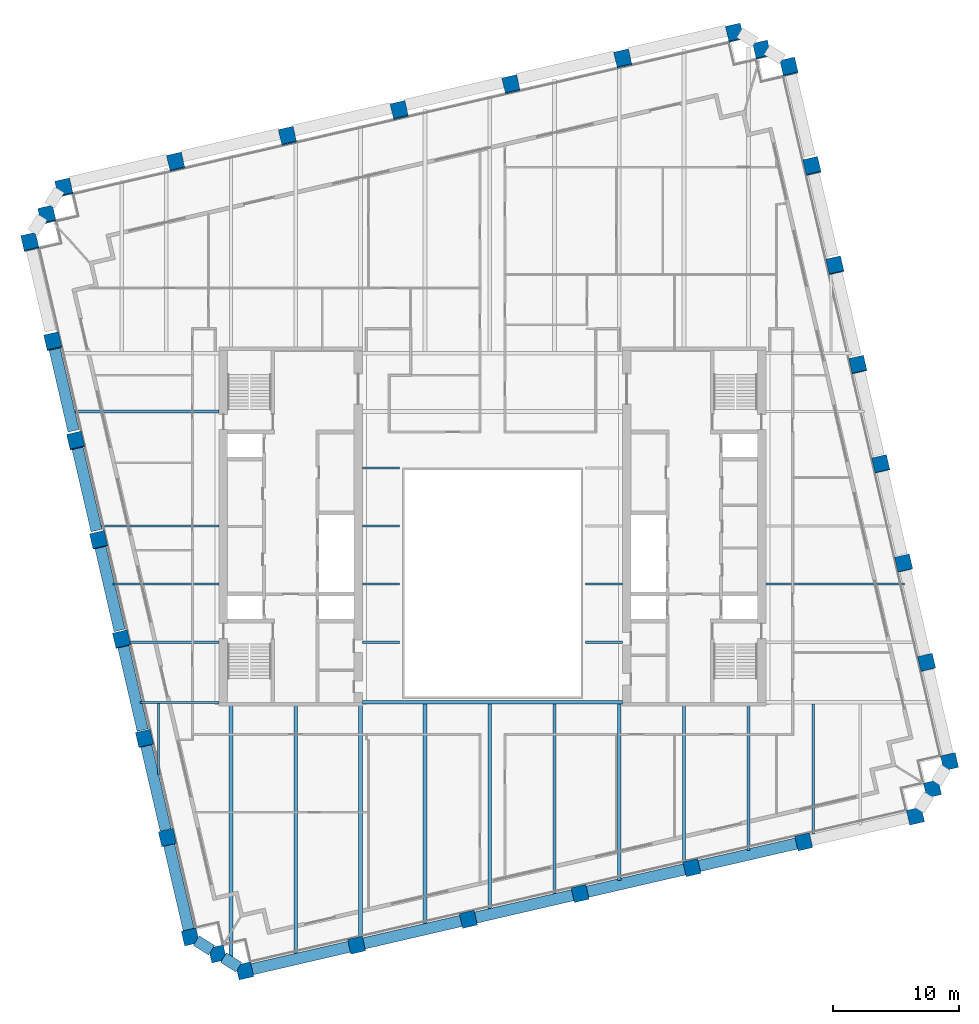
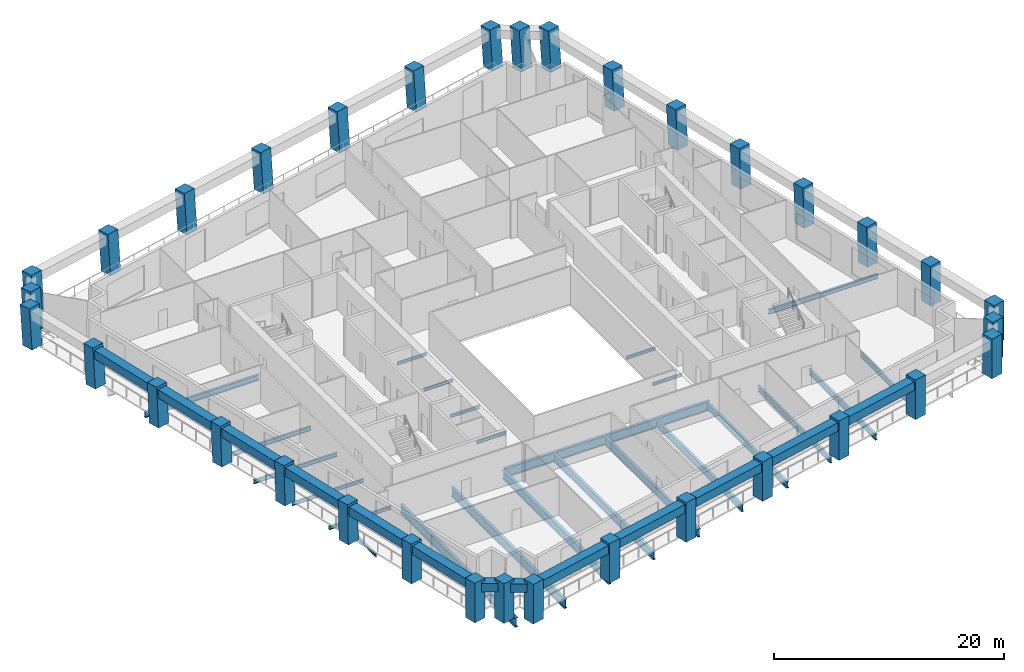
# One storey, part 1 of 10: 37 beams, 34 columns.
"""IFC4 building model written with IfcOpenShell, lengths in metres."""

import ifcopenshell
import ifcopenshell.guid

model = None  # the IFC model being written
_history = None  # IfcOwnerHistory: only IFC2X3 demands one
_inside = {}  # id of a spatial element -> (the spatial element, [elements in it])
_under = {}  # id of a project, library or spatial element -> (it, [spatial elements below it])
_declared = {}  # id of a project -> (the project, [libraries it declares])
_typed = {}  # id of a type object -> (the type object, [elements of that type])
_made_of = {}  # id of a material, layer set ... -> (it, [elements and type objects made of it])


def new_model(schema):
    """Start an empty IFC model of exactly this schema.

    Asked for "IFC4X3", IfcOpenShell would pick the latest addendum, in which some entities
    have other attributes; the version numbers below select the first issue.
    IFC2X3 requires an IfcOwnerHistory on every rooted entity: one is made here for all.
    """
    global model, _history
    if schema == "IFC4X3":
        model = ifcopenshell.file(schema_version=(4, 3, 0, 0))
    else:
        model = ifcopenshell.file(schema=schema)
    _inside.clear()
    _under.clear()
    _declared.clear()
    _typed.clear()
    _made_of.clear()
    _history = None
    if model.schema == "IFC2X3":
        org = make("IfcOrganization", Name="unknown")
        user = make(
            "IfcPersonAndOrganization",
            ThePerson=make("IfcPerson", FamilyName="unknown"),
            TheOrganization=org,
        )
        app = make(
            "IfcApplication",
            ApplicationDeveloper=org,
            Version="unknown",
            ApplicationFullName="unknown",
            ApplicationIdentifier="unknown",
        )
        _history = make(
            "IfcOwnerHistory",
            OwningUser=user,
            OwningApplication=app,
            ChangeAction="ADDED",
            CreationDate=0,
        )
    return model


def make(cls, **values):
    """One entity of the class cls with the attributes given. An attribute that is None is left unset."""
    return model.create_entity(
        cls, **{name: value for name, value in values.items() if value is not None}
    )


def rooted(cls, **values):
    """An entity with a GlobalId (a new one), such as an element, a storey or a relation."""
    return make(cls, GlobalId=ifcopenshell.guid.new(), OwnerHistory=_history, **values)


def si_unit(unit_type, name, prefix=None):
    """IfcSIUnit, for example si_unit("LENGTHUNIT", "METRE", prefix="MILLI")."""
    return make("IfcSIUnit", UnitType=unit_type, Prefix=prefix, Name=name)


def assignment(units):
    """IfcUnitAssignment: the units of a project."""
    return None if units is None else make("IfcUnitAssignment", Units=units)


def point(xyz):
    """IfcCartesianPoint."""
    return None if xyz is None else make("IfcCartesianPoint", Coordinates=xyz)


def direction(xyz):
    """IfcDirection."""
    return None if xyz is None else make("IfcDirection", DirectionRatios=xyz)


def frame(location, z_axis=None, x_axis=None):
    """IfcAxis2Placement3D, a coordinate frame: its origin and axes. An axis left out is left unset."""
    return make(
        "IfcAxis2Placement3D",
        Location=point(location),
        Axis=direction(z_axis),
        RefDirection=direction(x_axis),
    )


def frame_2d(location, x_axis=None):
    """IfcAxis2Placement2D, a coordinate frame in the plane: its origin and x axis."""
    return make(
        "IfcAxis2Placement2D", Location=point(location), RefDirection=direction(x_axis)
    )


def origin():
    """The frame at (0, 0, 0) with its axes left unset."""
    return frame((0.0, 0.0, 0.0))


def origin_2d():
    """The frame at (0, 0) in the plane with its x axis left unset."""
    return frame_2d((0.0, 0.0))


def place(relative_to, where):
    """IfcLocalPlacement: puts the frame where relative to a parent placement (None: the world)."""
    return make(
        "IfcLocalPlacement", PlacementRelTo=relative_to, RelativePlacement=where
    )


def context(
    kind, dimensions, precision=None, world=None, true_north=None, identifier=None
):
    """IfcGeometricRepresentationContext, for example the 3D "Model" context."""
    return make(
        "IfcGeometricRepresentationContext",
        ContextIdentifier=identifier,
        ContextType=kind,
        CoordinateSpaceDimension=dimensions,
        Precision=precision,
        WorldCoordinateSystem=world,
        TrueNorth=true_north,
    )


def subcontext(parent, identifier, kind, view, scale=None):
    """IfcGeometricRepresentationSubContext, for example "Body" below "Model"."""
    return make(
        "IfcGeometricRepresentationSubContext",
        ContextIdentifier=identifier,
        ContextType=kind,
        ParentContext=parent,
        TargetScale=scale,
        TargetView=view,
    )


def project(units=None, contexts=None):
    """IfcProject with its units and contexts."""
    return rooted(
        "IfcProject",
        Name="project",
        RepresentationContexts=contexts,
        UnitsInContext=assignment(units),
    )


def spatial(cls, under=None, at=None, **own):
    """A site, building, storey or space (cls), placed at a placement, below another one or the project."""
    s = rooted(cls, ObjectPlacement=at, **own)
    if under is not None:
        _under.setdefault(under.id(), (under, []))[1].append(s)
    return s


def profile(cls, at=None, kind="AREA", **sizes):
    """A parametric profile (cls). Its sizes go by their IFC names, for example OverallWidth=200.0."""
    return make(cls, ProfileType=kind, Position=at, **sizes)


def rectangle(**sizes):
    """IfcRectangleProfileDef."""
    return profile("IfcRectangleProfileDef", **sizes)


def i_section(**sizes):
    """IfcIShapeProfileDef."""
    return profile("IfcIShapeProfileDef", **sizes)


def extrude(swept, where, along, depth):
    """IfcExtrudedAreaSolid: the profile swept, set in the frame where, extruded along a direction by depth."""
    return make(
        "IfcExtrudedAreaSolid",
        SweptArea=swept,
        Position=where,
        ExtrudedDirection=direction(along),
        Depth=depth,
    )


def shape(context_of_items, identifier, shape_type, items):
    """IfcShapeRepresentation: the items that make up one representation, for example the "Body"."""
    return make(
        "IfcShapeRepresentation",
        ContextOfItems=context_of_items,
        RepresentationIdentifier=identifier,
        RepresentationType=shape_type,
        Items=items,
    )


def material(Name=None, Category=None):
    """IfcMaterial."""
    return make("IfcMaterial", Name=Name, Category=Category)


def material_profile(
    of_material, cross_section, Name=None, Category=None, Priority=None
):
    """IfcMaterialProfile: a cross section and its material."""
    return make(
        "IfcMaterialProfile",
        Name=Name,
        Material=of_material,
        Profile=cross_section,
        Priority=Priority,
        Category=Category,
    )


def profile_set(profiles, Name=None, composite=None):
    """IfcMaterialProfileSet."""
    return make(
        "IfcMaterialProfileSet",
        Name=Name,
        MaterialProfiles=profiles,
        CompositeProfile=composite,
    )


def made_of(thing, what):
    """Note that an element or type object is made of a material, layer set ...; save() writes the relation."""
    if what is not None:
        _made_of.setdefault(what.id(), (what, []))[1].append(thing)
    return thing


def type_object(cls, material=None, **own):
    """A type object (cls), such as IfcWallType, which elements share."""
    return made_of(rooted(cls, **own), material)


def element(
    cls,
    number,
    at=None,
    inside=None,
    cuts=None,
    type_object=None,
    material=None,
    context=None,
    identifier="Body",
    shape_type=None,
    held_by="IfcProductDefinitionShape",
    body=None,
    shapes=None,
    **own,
):
    """One element of the class cls, such as IfcWall. Its Tag is "e" and its number.

    at: its placement. inside: the storey or other place that contains it. cuts: it is an
    opening in that element (IfcRelVoidsElement). A single representation is given by context,
    identifier, shape_type and body (its items); several are given by shapes. held_by: the class
    of the entity that holds the representations. save() writes the other relations.
    """
    e = rooted(cls, Tag="e%d" % number, ObjectPlacement=at, **own)
    if body is not None:
        shapes = [shape(context, identifier, shape_type, body)]
    if shapes is not None:
        e.Representation = make(held_by, Representations=shapes)
    if inside is not None:
        _inside.setdefault(inside.id(), (inside, []))[1].append(e)
    if cuts is not None:
        rooted(
            "IfcRelVoidsElement", RelatingBuildingElement=cuts, RelatedOpeningElement=e
        )
    if type_object is not None:
        _typed.setdefault(type_object.id(), (type_object, []))[1].append(e)
    return made_of(e, material)


def aggregate(whole, parts):
    """IfcRelAggregates: a whole, such as a stair, and the parts it consists of."""
    return rooted("IfcRelAggregates", RelatingObject=whole, RelatedObjects=parts)


def save(model, path):
    """Write the relations noted so far, then the file.

    IfcRelAggregates (storeys below a building ...), IfcRelContainedInSpatialStructure (elements
    in a storey), IfcRelDefinesByType, IfcRelAssociatesMaterial and IfcRelDeclares: one each for
    every whole, place, type object, material and project.
    """
    for whole, parts in _under.values():
        aggregate(whole, parts)
    for where, things in _inside.values():
        rooted(
            "IfcRelContainedInSpatialStructure",
            RelatedElements=things,
            RelatingStructure=where,
        )
    for kind, things in _typed.values():
        rooted("IfcRelDefinesByType", RelatedObjects=things, RelatingType=kind)
    for what, things in _made_of.values():
        rooted("IfcRelAssociatesMaterial", RelatedObjects=things, RelatingMaterial=what)
    for by, libraries in _declared.values():
        rooted("IfcRelDeclares", RelatingContext=by, RelatedDefinitions=libraries)
    model.write(path)


model = new_model("IFC4")

# Units and contexts
model_context = context("Model", 3, precision=1e-05, world=origin(), true_north=direction((0.0, 1.0)))
body_context = subcontext(model_context, "Body", "Model", "MODEL_VIEW")
ifc_project = project(units=[si_unit("LENGTHUNIT", "METRE"), si_unit("AREAUNIT", "SQUARE_METRE"), si_unit("VOLUMEUNIT", "CUBIC_METRE"), si_unit("PLANEANGLEUNIT", "RADIAN"), si_unit("MASSUNIT", "GRAM", prefix="KILO")], contexts=[model_context])

# Site, building, storey
site_placement = place(None, origin())
site = spatial("IfcSite", under=ifc_project, at=site_placement, CompositionType="ELEMENT")
building_placement = place(site_placement, origin())
building = spatial("IfcBuilding", under=site, at=building_placement, Name="Ogive Exchange Tower", CompositionType="ELEMENT")
storey_placement = place(building_placement, frame((0.0, 0.0, 188.39990234375)))
storey = spatial("IfcBuildingStorey", under=building, at=storey_placement, Name="L41", CompositionType="ELEMENT", Elevation=188.39990234375)

# Columns
ifc_material_1 = material(Name="Precast concrete C70/85 (limestone faced)", Category="masonry")
ifc_material_profile_1 = material_profile(ifc_material_1, rectangle(XDim=1.199951171875, YDim=1.199951171875, at=origin_2d()), Name="1200 x 1200")
ifc_profile_set_1 = profile_set([ifc_material_profile_1], Name="Precast concrete C70/85 (limestone faced)")
column_type = type_object("IfcColumnType", Name="Precast exoskeleton leg 1200 x 1200 C70/85", PredefinedType="COLUMN", material=ifc_profile_set_1)
for number, where, z_axis, x_axis, name in (
    (1, (-19.6494140625, -23.749267578125, 0.0), (0.0, 0.0, 1.0), (0.974370064785, 0.224951054344, 0.0), "Exoskeleton leg 1"),
    (2, (-10.782470703125, -21.7021484375, 0.0), (0.0, 0.0, 1.0), (0.974370064785, 0.224951054344, 0.0), "Exoskeleton leg 2"),
    (3, (-1.915771484375, -19.655029296875, 0.0), (0.0, 0.0, 1.0), (0.974370064785, 0.224951054344, 0.0), "Exoskeleton leg 3"),
    (4, (6.950927734375, -17.60791015625, 0.0), (0.0, 0.0, 1.0), (0.974370064785, 0.224951054344, 0.0), "Exoskeleton leg 4"),
    (5, (15.81787109375, -15.56103515625, 0.0), (0.0, 0.0, 1.0), (0.974370064785, 0.224951054344, 0.0), "Exoskeleton leg 5"),
    (6, (24.6845703125, -13.513916015625, 0.0), (0.0, 0.0, 1.0), (0.974370064785, 0.224951054344, 0.0), "Exoskeleton leg 6"),
    (7, (33.55126953125, -11.466796875, 0.0), (0.0, 0.0, 1.0), (0.974370064785, 0.224951054344, 0.0), "Exoskeleton leg 7"),
    (8, (36.249267578125, -7.1494140625, 0.0), (0.0, 0.0, 1.0), (0.974370064785, 0.224951054344, 0.0), "Exoskeleton leg 8"),
):
    element("IfcColumn", number, at=place(storey_placement, frame(where, z_axis=z_axis, x_axis=x_axis)), inside=storey, type_object=column_type, Name=name, PredefinedType="COLUMN", context=body_context, shape_type="SweptSolid", body=[
        extrude(rectangle(XDim=1.199951171875, YDim=1.199951171875, at=origin_2d()), origin(), (0.0, 0.0, 1.0), 4.2001953125),
    ])
column_1_placement = place(storey_placement, frame((34.43310546875, 0.717529296875, 0.0), z_axis=(-0.002731726181, 0.011682488562, 0.999928025976), x_axis=(-0.973733900744, -0.227689021567, 0.0)))
element("IfcColumn", 9, at=column_1_placement, inside=storey, type_object=column_type, Name="Exoskeleton leg 9", PredefinedType="COLUMN", context=body_context, shape_type="SweptSolid", body=[
    extrude(rectangle(XDim=1.199951171875, YDim=1.199951171875, at=origin_2d()), origin(), (0.0, 0.0, 1.0), 4.200439453125),
])
column_2_placement = place(storey_placement, frame((32.61669921875, 8.584228515625, 0.0), z_axis=(-0.00540415818, 0.023418018779, 0.999711154019), x_axis=(-0.974391195695, -0.224859506699, 0.0)))
element("IfcColumn", 10, at=column_2_placement, inside=storey, type_object=column_type, Name="Exoskeleton leg 10", PredefinedType="COLUMN", context=body_context, shape_type="SweptSolid", body=[
    extrude(rectangle(XDim=1.199951171875, YDim=1.199951171875, at=origin_2d()), origin(), (0.0, 0.0, 1.0), 4.201416015625),
])
column_3_placement = place(storey_placement, frame((30.800537109375, 16.450927734375, 0.0), z_axis=(-0.008074278456, 0.035085353866, 0.999351701841), x_axis=(-0.974526982896, -0.224270282488, 0.0)))
element("IfcColumn", 11, at=column_3_placement, inside=storey, type_object=column_type, Name="Exoskeleton leg 11", PredefinedType="COLUMN", context=body_context, shape_type="SweptSolid", body=[
    extrude(rectangle(XDim=1.199951171875, YDim=1.199951171875, at=origin_2d()), origin(), (0.0, 0.0, 1.0), 4.202880859375),
])
column_4_placement = place(storey_placement, frame((28.984375, 24.31787109375, 0.0), z_axis=(-0.010740940982, 0.046737608058, 0.99884945221), x_axis=(-0.974594841169, -0.223975211946, 0.0)))
element("IfcColumn", 12, at=column_4_placement, inside=storey, type_object=column_type, Name="Exoskeleton leg 12", PredefinedType="COLUMN", context=body_context, shape_type="SweptSolid", body=[
    extrude(rectangle(XDim=1.199951171875, YDim=1.199951171875, at=origin_2d()), origin(), (0.0, 0.0, 1.0), 4.205078125),
])
column_5_placement = place(storey_placement, frame((27.168212890625, 32.1845703125, 0.0), z_axis=(-0.013461020192, 0.058369768591, 0.998204273208), x_axis=(-0.974423835271, -0.224718021653, 0.0)))
element("IfcColumn", 13, at=column_5_placement, inside=storey, type_object=column_type, Name="Exoskeleton leg 13", PredefinedType="COLUMN", context=body_context, shape_type="SweptSolid", body=[
    extrude(rectangle(XDim=1.199951171875, YDim=1.199951171875, at=origin_2d()), origin(), (0.0, 0.0, 1.0), 4.207763671875),
])
column_6_placement = place(storey_placement, frame((25.35205078125, 40.051513671875, 0.0), z_axis=(-0.016175277355, 0.069976916731, 0.99741746101), x_axis=(-0.974309502923, -0.225213215672, 0.0)))
element("IfcColumn", 14, at=column_6_placement, inside=storey, type_object=column_type, Name="Exoskeleton leg 14", PredefinedType="COLUMN", context=body_context, shape_type="SweptSolid", body=[
    extrude(rectangle(XDim=1.199951171875, YDim=1.199951171875, at=origin_2d()), origin(), (0.0, 0.0, 1.0), 4.211181640625),
])
for number, where, z_axis, x_axis, name in (
    (15, (23.535888671875, 47.918212890625, 0.0), (-0.018824669328, 0.081554259734, 0.996491111121), (-0.974379530941, -0.22491004798, 0.0), "Exoskeleton leg 15"),
    (16, (19.21826171875, 50.6162109375, 0.0), (-0.018824669328, 0.081554259734, 0.996491111121), (-0.974379530941, -0.22491004798, 0.0), "Exoskeleton leg 16"),
    (17, (10.3515625, 48.569091796875, 0.0), (-0.018824669328, 0.081554259734, 0.996491111121), (-0.974379530941, -0.22491004798, 0.0), "Exoskeleton leg 17"),
    (18, (1.48486328125, 46.52197265625, 0.0), (-0.018824669328, 0.081554259734, 0.996491111121), (-0.974379530941, -0.22491004798, 0.0), "Exoskeleton leg 18"),
    (19, (-7.382080078125, 44.474853515625, 0.0), (-0.018824580373, 0.08161179614, 0.996486402268), (-0.974414501624, -0.224758490439, 0.0), "Exoskeleton leg 19"),
    (20, (-16.248779296875, 42.427734375, 0.0), (-0.018824580373, 0.08161179614, 0.996486402268), (-0.974414501624, -0.224758490439, 0.0), "Exoskeleton leg 20"),
    (21, (-25.115478515625, 40.380859375, 0.0), (-0.018824669328, 0.081554259734, 0.996491111121), (-0.974379530941, -0.22491004798, 0.0), "Exoskeleton leg 21"),
    (22, (-33.982421875, 38.333740234375, 0.0), (-0.018824669328, 0.081554259734, 0.996491111121), (-0.974379530941, -0.22491004798, 0.0), "Exoskeleton leg 22"),
    (23, (-36.68017578125, 34.01611328125, 0.0), (-0.018824580373, 0.08161179614, 0.996486402268), (-0.974414501624, -0.224758490439, 0.0), "Exoskeleton leg 23"),
):
    element("IfcColumn", number, at=place(storey_placement, frame(where, z_axis=z_axis, x_axis=x_axis)), inside=storey, type_object=column_type, Name=name, PredefinedType="COLUMN", context=body_context, shape_type="SweptSolid", body=[
        extrude(rectangle(XDim=1.199951171875, YDim=1.199951171875, at=origin_2d()), origin(), (0.0, 0.0, 1.0), 4.215087890625),
    ])
column_7_placement = place(storey_placement, frame((-34.864013671875, 26.1494140625, 0.0), z_axis=(-0.016175277355, 0.069976916731, 0.99741746101), x_axis=(-0.974309502923, -0.225213215672, 0.0)))
element("IfcColumn", 24, at=column_7_placement, inside=storey, type_object=column_type, Name="Exoskeleton leg 24", PredefinedType="COLUMN", context=body_context, shape_type="SweptSolid", body=[
    extrude(rectangle(XDim=1.199951171875, YDim=1.199951171875, at=origin_2d()), origin(), (0.0, 0.0, 1.0), 4.211181640625),
])
column_8_placement = place(storey_placement, frame((-33.0478515625, 18.28271484375, 0.0), z_axis=(-0.013461020192, 0.058369768591, 0.998204273208), x_axis=(-0.974423835271, -0.224718021653, 0.0)))
element("IfcColumn", 25, at=column_8_placement, inside=storey, type_object=column_type, Name="Exoskeleton leg 25", PredefinedType="COLUMN", context=body_context, shape_type="SweptSolid", body=[
    extrude(rectangle(XDim=1.199951171875, YDim=1.199951171875, at=origin_2d()), origin(), (0.0, 0.0, 1.0), 4.207763671875),
])
column_9_placement = place(storey_placement, frame((-31.231689453125, 10.415771484375, 0.0), z_axis=(-0.01079899337, 0.046737578833, 0.998848827635), x_axis=(-0.974329962248, -0.225124686929, 0.0)))
element("IfcColumn", 26, at=column_9_placement, inside=storey, type_object=column_type, Name="Exoskeleton leg 26", PredefinedType="COLUMN", context=body_context, shape_type="SweptSolid", body=[
    extrude(rectangle(XDim=1.199951171875, YDim=1.199951171875, at=origin_2d()), origin(), (0.0, 0.0, 1.0), 4.205078125),
])
column_10_placement = place(storey_placement, frame((-29.415283203125, 2.549072265625, 0.0), z_axis=(-0.008132379523, 0.035027320373, 0.999353266483), x_axis=(-0.974090845759, -0.226157078617, 0.0)))
element("IfcColumn", 27, at=column_10_placement, inside=storey, type_object=column_type, Name="Exoskeleton leg 27", PredefinedType="COLUMN", context=body_context, shape_type="SweptSolid", body=[
    extrude(rectangle(XDim=1.199951171875, YDim=1.199951171875, at=origin_2d()), origin(), (0.0, 0.0, 1.0), 4.202880859375),
])
column_11_placement = place(storey_placement, frame((-27.599365234375, -5.317626953125, 0.0), z_axis=(-0.005346057888, 0.023359948596, 0.999712824999), x_axis=(-0.974798272484, -0.223088161862, 0.0)))
element("IfcColumn", 28, at=column_11_placement, inside=storey, type_object=column_type, Name="Exoskeleton leg 28", PredefinedType="COLUMN", context=body_context, shape_type="SweptSolid", body=[
    extrude(rectangle(XDim=1.199951171875, YDim=1.199951171875, at=origin_2d()), origin(), (0.0, 0.0, 1.0), 4.201416015625),
])
column_12_placement = place(storey_placement, frame((-25.783203125, -13.1845703125, 0.0), z_axis=(-0.002673604768, 0.011682490397, 0.999928183049), x_axis=(-0.974798272484, -0.223088161862, 0.0)))
element("IfcColumn", 29, at=column_12_placement, inside=storey, type_object=column_type, Name="Exoskeleton leg 29", PredefinedType="COLUMN", context=body_context, shape_type="SweptSolid", body=[
    extrude(rectangle(XDim=1.199951171875, YDim=1.199951171875, at=origin_2d()), origin(), (0.0, 0.0, 1.0), 4.200439453125),
])
for number, where, z_axis, x_axis, name in (
    (30, (-23.966796875, -21.05126953125, 0.0), (0.0, 0.0, 1.0), (0.974370064785, 0.224951054344, 0.0), "Exoskeleton leg 30"),
    (31, (34.900146484375, -9.30810546875, 0.0), (0.0, 0.0, 1.0), (0.974370064785, 0.224951054344, 0.0), "Exoskeleton leg 31"),
):
    element("IfcColumn", number, at=place(storey_placement, frame(where, z_axis=z_axis, x_axis=x_axis)), inside=storey, type_object=column_type, Name=name, PredefinedType="COLUMN", context=body_context, shape_type="SweptSolid", body=[
        extrude(rectangle(XDim=1.199951171875, YDim=1.199951171875, at=origin_2d()), origin(), (0.0, 0.0, 1.0), 4.2001953125),
    ])
for number, where, z_axis, x_axis, name in (
    (32, (21.377197265625, 49.26708984375, 0.0), (-0.018882481539, 0.081611707018, 0.996485314076), (-0.974262845894, -0.225414966474, 0.0), "Exoskeleton leg 32"),
    (33, (-35.331298828125, 36.175048828125, 0.0), (-0.018824669328, 0.081554259734, 0.996491111121), (-0.974379530941, -0.22491004798, 0.0), "Exoskeleton leg 33"),
):
    element("IfcColumn", number, at=place(storey_placement, frame(where, z_axis=z_axis, x_axis=x_axis)), inside=storey, type_object=column_type, Name=name, PredefinedType="COLUMN", context=body_context, shape_type="SweptSolid", body=[
        extrude(rectangle(XDim=1.199951171875, YDim=1.199951171875, at=origin_2d()), origin(), (0.0, 0.0, 1.0), 4.215087890625),
    ])
column_13_placement = place(storey_placement, frame((-21.80810546875, -22.400146484375, 0.0), z_axis=(0.0, 0.0, 1.0), x_axis=(0.974370064785, 0.224951054344, 0.0)))
element("IfcColumn", 34, at=column_13_placement, inside=storey, type_object=column_type, Name="Exoskeleton leg 34", PredefinedType="COLUMN", context=body_context, shape_type="SweptSolid", body=[
    extrude(rectangle(XDim=1.199951171875, YDim=1.199951171875, at=origin_2d()), origin(), (0.0, 0.0, 1.0), 4.2001953125),
])

# Beams
ifc_material_2 = material(Name="Steel ASTM A992 Gr50", Category="steel")
ifc_material_profile_2 = material_profile(ifc_material_2, i_section(OverallWidth=0.300048828125, OverallDepth=0.969970703125, WebThickness=0.01611328125, FlangeThickness=0.02099609375, at=origin_2d()), Name="W1000x222")
ifc_profile_set_2 = profile_set([ifc_material_profile_2], Name="Steel ASTM A992 Gr50")
beam_type_1 = type_object("IfcBeamType", Name="Floor beam W1000x222", PredefinedType="JOIST", material=ifc_profile_set_2)
beam_1_placement = place(storey_placement, frame((-20.744140625, -22.6845703125, -0.684814453125), z_axis=(0.0, 1.0, 0.0), x_axis=(-1.0, 0.0, 0.0)))
element("IfcBeam", 35, at=beam_1_placement, inside=storey, type_object=beam_type_1, Name="Floor beam", PredefinedType="JOIST", context=body_context, shape_type="SweptSolid", body=[
    extrude(i_section(OverallWidth=0.300048828125, OverallDepth=0.969970703125, WebThickness=0.01611328125, FlangeThickness=0.02099609375, at=origin_2d()), origin(), (0.0, 0.0, 1.0), 20.08447265625),
])
beam_2_placement = place(storey_placement, frame((-15.61181640625, -22.355224609375, -0.684814453125), z_axis=(0.0, 1.0, 0.0), x_axis=(-1.0, 0.0, 0.0)))
element("IfcBeam", 36, at=beam_2_placement, inside=storey, type_object=beam_type_1, Name="Floor beam", PredefinedType="JOIST", context=body_context, shape_type="SweptSolid", body=[
    extrude(i_section(OverallWidth=0.300048828125, OverallDepth=0.969970703125, WebThickness=0.01611328125, FlangeThickness=0.02099609375, at=origin_2d()), origin(), (0.0, 0.0, 1.0), 19.755126953125),
])
ifc_material_profile_3 = material_profile(ifc_material_2, i_section(OverallWidth=0.1650390625, OverallDepth=0.31005859375, WebThickness=0.005859375, FlangeThickness=0.009765625, at=origin_2d()), Name="W310x38.7")
ifc_profile_set_3 = profile_set([ifc_material_profile_3], Name="Steel ASTM A992 Gr50")
beam_type_2 = type_object("IfcBeamType", Name="Floor beam W310x38.7", PredefinedType="JOIST", material=ifc_profile_set_3)
for number, where, z_axis, x_axis, name in (
    (37, (-10.320068359375, 2.3212890625, -0.35498046875), (1.0, 0.0, 0.0), (0.0, 1.0, 0.0), "Floor beam"),
    (38, (7.3701171875, 2.3212890625, -0.35498046875), (1.0, 0.0, 0.0), (0.0, 1.0, 0.0), "Floor beam"),
    (39, (-10.320068359375, 6.9326171875, -0.35498046875), (1.0, 0.0, 0.0), (0.0, 1.0, 0.0), "Floor beam"),
    (40, (7.3701171875, 6.9326171875, -0.35498046875), (1.0, 0.0, 0.0), (0.0, 1.0, 0.0), "Floor beam"),
    (41, (-10.320068359375, 11.543701171875, -0.35498046875), (1.0, 0.0, 0.0), (0.0, 1.0, 0.0), "Floor beam"),
):
    element("IfcBeam", number, at=place(storey_placement, frame(where, z_axis=z_axis, x_axis=x_axis)), inside=storey, type_object=beam_type_2, Name=name, PredefinedType="JOIST", context=body_context, shape_type="SweptSolid", body=[
        extrude(i_section(OverallWidth=0.1650390625, OverallDepth=0.31005859375, WebThickness=0.005859375, FlangeThickness=0.009765625, at=origin_2d()), origin(), (0.0, 0.0, 1.0), 2.949951171875),
    ])
beam_3_placement = place(storey_placement, frame((-26.476318359375, -8.181884765625, -0.35498046875), z_axis=(0.0, 1.0, 0.0), x_axis=(-1.0, 0.0, 0.0)))
element("IfcBeam", 42, at=beam_3_placement, inside=storey, type_object=beam_type_2, Name="Floor beam", PredefinedType="JOIST", context=body_context, shape_type="SweptSolid", body=[
    extrude(i_section(OverallWidth=0.1650390625, OverallDepth=0.31005859375, WebThickness=0.005859375, FlangeThickness=0.009765625, at=origin_2d()), origin(), (0.0, 0.0, 1.0), 5.6513671875),
])
ifc_material_profile_4 = material_profile(ifc_material_2, i_section(OverallWidth=0.1708984375, OverallDepth=0.35595703125, WebThickness=0.00732421875, FlangeThickness=0.01171875, at=origin_2d()), Name="W360x51")
ifc_profile_set_4 = profile_set([ifc_material_profile_4], Name="Steel ASTM A992 Gr50")
beam_type_3 = type_object("IfcBeamType", Name="Floor beam W360x51", PredefinedType="JOIST", material=ifc_profile_set_4)
beam_4_placement = place(storey_placement, frame((-28.90087890625, 2.3212890625, -0.3779296875), z_axis=(1.0, 0.0, 0.0), x_axis=(0.0, 1.0, 0.0)))
element("IfcBeam", 43, at=beam_4_placement, inside=storey, type_object=beam_type_3, Name="Floor beam", PredefinedType="JOIST", context=body_context, shape_type="SweptSolid", body=[
    extrude(i_section(OverallWidth=0.1708984375, OverallDepth=0.35595703125, WebThickness=0.00732421875, FlangeThickness=0.01171875, at=origin_2d()), origin(), (0.0, 0.0, 1.0), 7.220947265625),
])
ifc_material_profile_5 = material_profile(ifc_material_2, i_section(OverallWidth=0.177978515625, OverallDepth=0.406005859375, WebThickness=0.0078125, FlangeThickness=0.0126953125, at=origin_2d()), Name="W410x60")
ifc_profile_set_5 = profile_set([ifc_material_profile_5], Name="Steel ASTM A992 Gr50")
beam_type_4 = type_object("IfcBeamType", Name="Floor beam W410x60", PredefinedType="JOIST", material=ifc_profile_set_5)
beam_5_placement = place(storey_placement, frame((-30.115478515625, 6.9326171875, -0.40283203125), z_axis=(1.0, 0.0, 0.0), x_axis=(0.0, 1.0, 0.0)))
element("IfcBeam", 44, at=beam_5_placement, inside=storey, type_object=beam_type_4, Name="Floor beam", PredefinedType="JOIST", context=body_context, shape_type="SweptSolid", body=[
    extrude(i_section(OverallWidth=0.177978515625, OverallDepth=0.406005859375, WebThickness=0.0078125, FlangeThickness=0.0126953125, at=origin_2d()), origin(), (0.0, 0.0, 1.0), 8.435546875),
])
ifc_material_profile_6 = material_profile(ifc_material_2, i_section(OverallWidth=0.19091796875, OverallDepth=0.45703125, WebThickness=0.009033203125, FlangeThickness=0.014404296875, at=origin_2d()), Name="W460x74")
ifc_profile_set_6 = profile_set([ifc_material_profile_6], Name="Steel ASTM A992 Gr50")
beam_type_5 = type_object("IfcBeamType", Name="Floor beam W460x74", PredefinedType="JOIST", material=ifc_profile_set_6)
beam_6_placement = place(storey_placement, frame((-31.0302734375, 11.543701171875, -0.428466796875), z_axis=(1.0, 0.0, 0.0), x_axis=(0.0, 1.0, 0.0)))
element("IfcBeam", 45, at=beam_6_placement, inside=storey, type_object=beam_type_5, Name="Floor beam", PredefinedType="JOIST", context=body_context, shape_type="SweptSolid", body=[
    extrude(i_section(OverallWidth=0.19091796875, OverallDepth=0.45703125, WebThickness=0.009033203125, FlangeThickness=0.014404296875, at=origin_2d()), origin(), (0.0, 0.0, 1.0), 9.350341796875),
])
ifc_material_profile_7 = material_profile(ifc_material_2, i_section(OverallWidth=0.1669921875, OverallDepth=0.535888671875, WebThickness=0.01025390625, FlangeThickness=0.0166015625, at=origin_2d()), Name="W530x85")
ifc_profile_set_7 = profile_set([ifc_material_profile_7], Name="Steel ASTM A992 Gr50")
beam_type_6 = type_object("IfcBeamType", Name="Floor beam W530x85", PredefinedType="JOIST", material=ifc_profile_set_7)
beam_7_placement = place(storey_placement, frame((21.679931640625, 6.9326171875, -0.468017578125), z_axis=(1.0, 0.0, 0.0), x_axis=(0.0, 1.0, 0.0)))
element("IfcBeam", 46, at=beam_7_placement, inside=storey, type_object=beam_type_6, Name="Floor beam", PredefinedType="JOIST", context=body_context, shape_type="SweptSolid", body=[
    extrude(i_section(OverallWidth=0.1669921875, OverallDepth=0.535888671875, WebThickness=0.01025390625, FlangeThickness=0.0166015625, at=origin_2d()), origin(), (0.0, 0.0, 1.0), 11.00634765625),
])
beam_8_placement = place(storey_placement, frame((25.4453125, -12.87646484375, -0.468017578125), z_axis=(0.0, 1.0, 0.0), x_axis=(-1.0, 0.0, 0.0)))
element("IfcBeam", 47, at=beam_8_placement, inside=storey, type_object=beam_type_6, Name="Floor beam", PredefinedType="JOIST", context=body_context, shape_type="SweptSolid", body=[
    extrude(i_section(OverallWidth=0.1669921875, OverallDepth=0.535888671875, WebThickness=0.01025390625, FlangeThickness=0.0166015625, at=origin_2d()), origin(), (0.0, 0.0, 1.0), 10.2978515625),
])
ifc_material_profile_8 = material_profile(ifc_material_2, i_section(OverallWidth=0.22802734375, OverallDepth=0.60205078125, WebThickness=0.010498046875, FlangeThickness=0.014892578125, at=origin_2d()), Name="W610x101")
ifc_profile_set_8 = profile_set([ifc_material_profile_8], Name="Steel ASTM A992 Gr50")
beam_type_7 = type_object("IfcBeamType", Name="Floor beam W610x101", PredefinedType="JOIST", material=ifc_profile_set_8)
beam_9_placement = place(storey_placement, frame((-33.126220703125, 20.62255859375, -0.5009765625), z_axis=(1.0, 0.0, 0.0), x_axis=(0.0, 1.0, 0.0)))
element("IfcBeam", 48, at=beam_9_placement, inside=storey, type_object=beam_type_7, Name="Floor beam", PredefinedType="JOIST", context=body_context, shape_type="SweptSolid", body=[
    extrude(i_section(OverallWidth=0.22802734375, OverallDepth=0.60205078125, WebThickness=0.010498046875, FlangeThickness=0.014892578125, at=origin_2d()), origin(), (0.0, 0.0, 1.0), 11.4462890625),
])
beam_10_placement = place(storey_placement, frame((20.31298828125, -14.211181640625, -0.5009765625), z_axis=(0.0, 1.0, 0.0), x_axis=(-1.0, 0.0, 0.0)))
element("IfcBeam", 49, at=beam_10_placement, inside=storey, type_object=beam_type_7, Name="Floor beam", PredefinedType="JOIST", context=body_context, shape_type="SweptSolid", body=[
    extrude(i_section(OverallWidth=0.22802734375, OverallDepth=0.60205078125, WebThickness=0.010498046875, FlangeThickness=0.014892578125, at=origin_2d()), origin(), (0.0, 0.0, 1.0), 11.611083984375),
])
ifc_material_profile_9 = material_profile(ifc_material_2, i_section(OverallWidth=0.22900390625, OverallDepth=0.612060546875, WebThickness=0.011962890625, FlangeThickness=0.01953125, at=origin_2d()), Name="W610x125")
ifc_profile_set_9 = profile_set([ifc_material_profile_9], Name="Steel ASTM A992 Gr50")
beam_type_8 = type_object("IfcBeamType", Name="Floor beam W610x125", PredefinedType="JOIST", material=ifc_profile_set_9)
beam_11_placement = place(storey_placement, frame((15.180908203125, -15.24609375, -0.505859375), z_axis=(0.0, 1.0, 0.0), x_axis=(-1.0, 0.0, 0.0)))
element("IfcBeam", 50, at=beam_11_placement, inside=storey, type_object=beam_type_8, Name="Floor beam", PredefinedType="JOIST", context=body_context, shape_type="SweptSolid", body=[
    extrude(i_section(OverallWidth=0.22900390625, OverallDepth=0.612060546875, WebThickness=0.011962890625, FlangeThickness=0.01953125, at=origin_2d()), origin(), (0.0, 0.0, 1.0), 12.64599609375),
])
ifc_material_profile_10 = material_profile(ifc_material_2, i_section(OverallWidth=0.25390625, OverallDepth=0.677978515625, WebThickness=0.01171875, FlangeThickness=0.016357421875, at=origin_2d()), Name="W690x125")
ifc_profile_set_10 = profile_set([ifc_material_profile_10], Name="Steel ASTM A992 Gr50")
beam_type_9 = type_object("IfcBeamType", Name="Floor beam W690x125", PredefinedType="JOIST", material=ifc_profile_set_10)
beam_12_placement = place(storey_placement, frame((10.048828125, -16.5810546875, -0.538818359375), z_axis=(0.0, 1.0, 0.0), x_axis=(-1.0, 0.0, 0.0)))
element("IfcBeam", 51, at=beam_12_placement, inside=storey, type_object=beam_type_9, Name="Floor beam", PredefinedType="JOIST", context=body_context, shape_type="SweptSolid", body=[
    extrude(i_section(OverallWidth=0.25390625, OverallDepth=0.677978515625, WebThickness=0.01171875, FlangeThickness=0.016357421875, at=origin_2d()), origin(), (0.0, 0.0, 1.0), 13.986083984375),
])
ifc_material_profile_11 = material_profile(ifc_material_2, i_section(OverallWidth=0.26708984375, OverallDepth=0.75390625, WebThickness=0.01318359375, FlangeThickness=0.01708984375, at=origin_2d()), Name="W760x147")
ifc_profile_set_11 = profile_set([ifc_material_profile_11], Name="Steel ASTM A992 Gr50")
beam_type_10 = type_object("IfcBeamType", Name="Floor beam W760x147", PredefinedType="JOIST", material=ifc_profile_set_11)
beam_13_placement = place(storey_placement, frame((4.91650390625, -17.615966796875, -0.576904296875), z_axis=(0.0, 1.0, 0.0), x_axis=(-1.0, 0.0, 0.0)))
element("IfcBeam", 52, at=beam_13_placement, inside=storey, type_object=beam_type_10, Name="Floor beam", PredefinedType="JOIST", context=body_context, shape_type="SweptSolid", body=[
    extrude(i_section(OverallWidth=0.26708984375, OverallDepth=0.75390625, WebThickness=0.01318359375, FlangeThickness=0.01708984375, at=origin_2d()), origin(), (0.0, 0.0, 1.0), 15.02099609375),
])
ifc_material_profile_12 = material_profile(ifc_material_2, i_section(OverallWidth=0.2919921875, OverallDepth=0.8359375, WebThickness=0.013916015625, FlangeThickness=0.018798828125, at=origin_2d()), Name="W840x176")
ifc_profile_set_12 = profile_set([ifc_material_profile_12], Name="Steel ASTM A992 Gr50")
beam_type_11 = type_object("IfcBeamType", Name="Floor beam W840x176", PredefinedType="JOIST", material=ifc_profile_set_12)
beam_14_placement = place(storey_placement, frame((-5.34765625, -19.985595703125, -0.617919921875), z_axis=(0.0, 1.0, 0.0), x_axis=(-1.0, 0.0, 0.0)))
element("IfcBeam", 53, at=beam_14_placement, inside=storey, type_object=beam_type_11, Name="Floor beam", PredefinedType="JOIST", context=body_context, shape_type="SweptSolid", body=[
    extrude(i_section(OverallWidth=0.2919921875, OverallDepth=0.8359375, WebThickness=0.013916015625, FlangeThickness=0.018798828125, at=origin_2d()), origin(), (0.0, 0.0, 1.0), 17.390625),
])
beam_15_placement = place(storey_placement, frame((-0.215576171875, -18.95068359375, -0.617919921875), z_axis=(0.0, 1.0, 0.0), x_axis=(-1.0, 0.0, 0.0)))
element("IfcBeam", 54, at=beam_15_placement, inside=storey, type_object=beam_type_11, Name="Floor beam", PredefinedType="JOIST", context=body_context, shape_type="SweptSolid", body=[
    extrude(i_section(OverallWidth=0.2919921875, OverallDepth=0.8359375, WebThickness=0.013916015625, FlangeThickness=0.018798828125, at=origin_2d()), origin(), (0.0, 0.0, 1.0), 16.355712890625),
])
ifc_material_profile_13 = material_profile(ifc_material_2, i_section(OverallWidth=0.304931640625, OverallDepth=0.904052734375, WebThickness=0.01513671875, FlangeThickness=0.02001953125, at=origin_2d()), Name="W920x201")
ifc_profile_set_13 = profile_set([ifc_material_profile_13], Name="Steel ASTM A992 Gr50")
beam_type_12 = type_object("IfcBeamType", Name="Floor beam W920x201", PredefinedType="JOIST", material=ifc_profile_set_13)
beam_16_placement = place(storey_placement, frame((-10.479736328125, -21.17041015625, -0.65185546875), z_axis=(0.0, 1.0, 0.0), x_axis=(-1.0, 0.0, 0.0)))
element("IfcBeam", 55, at=beam_16_placement, inside=storey, type_object=beam_type_12, Name="Floor beam", PredefinedType="JOIST", context=body_context, shape_type="SweptSolid", body=[
    extrude(i_section(OverallWidth=0.304931640625, OverallDepth=0.904052734375, WebThickness=0.01513671875, FlangeThickness=0.02001953125, at=origin_2d()), origin(), (0.0, 0.0, 1.0), 18.5703125),
])
ifc_material_profile_14 = material_profile(ifc_material_2, i_section(OverallWidth=0.300048828125, OverallDepth=0.97998046875, WebThickness=0.0166015625, FlangeThickness=0.026123046875, at=origin_2d()), Name="W1000x249")
ifc_profile_set_14 = profile_set([ifc_material_profile_14], Name="Steel ASTM A992 Gr50")
beam_type_13 = type_object("IfcBeamType", Name="Girder W1000x249", PredefinedType="BEAM", material=ifc_profile_set_14)
beam_17_placement = place(storey_placement, frame((-10.320068359375, -2.445068359375, -0.68994140625), z_axis=(1.0, 0.0, 0.0), x_axis=(0.0, 1.0, 0.0)))
element("IfcBeam", 56, at=beam_17_placement, inside=storey, type_object=beam_type_13, Name="Header girder", PredefinedType="BEAM", context=body_context, shape_type="SweptSolid", body=[
    extrude(i_section(OverallWidth=0.300048828125, OverallDepth=0.97998046875, WebThickness=0.0166015625, FlangeThickness=0.026123046875, at=origin_2d()), origin(), (0.0, 0.0, 1.0), 20.64013671875),
])
ifc_material_profile_15 = material_profile(ifc_material_2, i_section(OverallWidth=0.1650390625, OverallDepth=0.31005859375, WebThickness=0.005859375, FlangeThickness=0.009765625, at=origin_2d()), Name="W310x38.7")
ifc_profile_set_15 = profile_set([ifc_material_profile_15], Name="Steel ASTM A992 Gr50")
beam_type_14 = type_object("IfcBeamType", Name="Girder W310x38.7", PredefinedType="BEAM", material=ifc_profile_set_15)
beam_18_placement = place(storey_placement, frame((-10.320068359375, 16.155029296875, -0.35498046875), z_axis=(1.0, 0.0, 0.0), x_axis=(0.0, 1.0, 0.0)))
element("IfcBeam", 57, at=beam_18_placement, inside=storey, type_object=beam_type_14, Name="Trimmer girder", PredefinedType="BEAM", context=body_context, shape_type="SweptSolid", body=[
    extrude(i_section(OverallWidth=0.1650390625, OverallDepth=0.31005859375, WebThickness=0.005859375, FlangeThickness=0.009765625, at=origin_2d()), origin(), (0.0, 0.0, 1.0), 2.949951171875),
])
ifc_material_profile_16 = material_profile(ifc_material_2, i_section(OverallWidth=0.1708984375, OverallDepth=0.35595703125, WebThickness=0.00732421875, FlangeThickness=0.01171875, at=origin_2d()), Name="W360x51")
ifc_profile_set_16 = profile_set([ifc_material_profile_16], Name="Steel ASTM A992 Gr50")
beam_type_15 = type_object("IfcBeamType", Name="Girder W360x51", PredefinedType="BEAM", material=ifc_profile_set_16)
beam_19_placement = place(storey_placement, frame((-27.95068359375, -2.445068359375, -0.3779296875), z_axis=(1.0, 0.0, 0.0), x_axis=(0.0, 1.0, 0.0)))
element("IfcBeam", 58, at=beam_19_placement, inside=storey, type_object=beam_type_15, Name="Header girder", PredefinedType="BEAM", context=body_context, shape_type="SweptSolid", body=[
    extrude(i_section(OverallWidth=0.1708984375, OverallDepth=0.35595703125, WebThickness=0.00732421875, FlangeThickness=0.01171875, at=origin_2d()), origin(), (0.0, 0.0, 1.0), 6.270751953125),
])
ifc_material_profile_17 = material_profile(ifc_material_1, rectangle(XDim=0.89990234375, YDim=0.89990234375, at=origin_2d()), Name="900 x 900")
ifc_profile_set_17 = profile_set([ifc_material_profile_17], Name="Precast concrete C70/85 (limestone faced)")
beam_type_16 = type_object("IfcBeamType", Name="Precast spandrel 900 x 900 C70/85", PredefinedType="SPANDREL", material=ifc_profile_set_17)
beam_20_placement = place(storey_placement, frame((-19.084228515625, -23.61865234375, 3.5), z_axis=(0.974369944206, 0.224951576629, 0.0), x_axis=(-0.224951576629, 0.974369944206, 0.0)))
element("IfcBeam", 59, at=beam_20_placement, inside=storey, type_object=beam_type_16, Name="Spandrel 1", PredefinedType="SPANDREL", context=body_context, shape_type="SweptSolid", body=[
    extrude(rectangle(XDim=0.89990234375, YDim=0.89990234375, at=origin_2d()), origin(), (0.0, 0.0, 1.0), 7.940185546875),
])
beam_21_placement = place(storey_placement, frame((-10.21728515625, -21.57177734375, 3.5), z_axis=(0.974368388194, 0.224958316335, 0.0), x_axis=(-0.224958316335, 0.974368388194, 0.0)))
element("IfcBeam", 60, at=beam_21_placement, inside=storey, type_object=beam_type_16, Name="Spandrel 2", PredefinedType="SPANDREL", context=body_context, shape_type="SweptSolid", body=[
    extrude(rectangle(XDim=0.89990234375, YDim=0.89990234375, at=origin_2d()), origin(), (0.0, 0.0, 1.0), 7.93994140625),
])
for number, where, z_axis, x_axis, name in (
    (61, (-1.3505859375, -19.524658203125, 3.5), (0.974369944206, 0.224951576629, 0.0), (-0.224951576629, 0.974369944206, 0.0), "Spandrel 3"),
    (62, (7.51611328125, -17.4775390625, 3.5), (0.974369944206, 0.224951576629, 0.0), (-0.224951576629, 0.974369944206, 0.0), "Spandrel 4"),
    (63, (16.3828125, -15.430419921875, 3.5), (0.974369944206, 0.224951576629, 0.0), (-0.224951576629, 0.974369944206, 0.0), "Spandrel 5"),
):
    element("IfcBeam", number, at=place(storey_placement, frame(where, z_axis=z_axis, x_axis=x_axis)), inside=storey, type_object=beam_type_16, Name=name, PredefinedType="SPANDREL", context=body_context, shape_type="SweptSolid", body=[
        extrude(rectangle(XDim=0.89990234375, YDim=0.89990234375, at=origin_2d()), origin(), (0.0, 0.0, 1.0), 7.940185546875),
    ])
beam_22_placement = place(storey_placement, frame((-34.801513671875, 25.87890625, 3.5), z_axis=(0.22493375864, -0.974374057651, 0.0), x_axis=(0.974374057651, 0.22493375864, 0.0)))
element("IfcBeam", 64, at=beam_22_placement, inside=storey, type_object=beam_type_16, Name="Spandrel 27", PredefinedType="SPANDREL", context=body_context, shape_type="SweptSolid", body=[
    extrude(rectangle(XDim=0.89990234375, YDim=0.89990234375, at=origin_2d()), origin(), (0.0, 0.0, 1.0), 6.9638671875),
])
beam_23_placement = place(storey_placement, frame((-32.97412109375, 17.963134765625, 3.5), z_axis=(0.224959358257, -0.974368147639, 0.0), x_axis=(0.974368147639, 0.224959358257, 0.0)))
element("IfcBeam", 65, at=beam_23_placement, inside=storey, type_object=beam_type_16, Name="Spandrel 28", PredefinedType="SPANDREL", context=body_context, shape_type="SweptSolid", body=[
    extrude(rectangle(XDim=0.89990234375, YDim=0.89990234375, at=origin_2d()), origin(), (0.0, 0.0, 1.0), 6.964111328125),
])
beam_24_placement = place(storey_placement, frame((-31.146484375, 10.047119140625, 3.5), z_axis=(0.224967042722, -0.974366373439, 0.0), x_axis=(0.974366373439, 0.224967042722, 0.0)))
element("IfcBeam", 66, at=beam_24_placement, inside=storey, type_object=beam_type_16, Name="Spandrel 29", PredefinedType="SPANDREL", context=body_context, shape_type="SweptSolid", body=[
    extrude(rectangle(XDim=0.89990234375, YDim=0.89990234375, at=origin_2d()), origin(), (0.0, 0.0, 1.0), 6.9638671875),
])
for number, where, z_axis, x_axis, name in (
    (67, (-29.319091796875, 2.13134765625, 3.5), (0.224959358257, -0.974368147639, 0.0), (0.974368147639, 0.224959358257, 0.0), "Spandrel 30"),
    (68, (-27.491455078125, -5.78466796875, 3.5), (0.224959358257, -0.974368147639, 0.0), (0.974368147639, 0.224959358257, 0.0), "Spandrel 31"),
    (69, (-25.663818359375, -13.700439453125, 3.5), (0.224926075192, -0.97437583134, 0.0), (0.97437583134, 0.224926075192, 0.0), "Spandrel 32"),
):
    element("IfcBeam", number, at=place(storey_placement, frame(where, z_axis=z_axis, x_axis=x_axis)), inside=storey, type_object=beam_type_16, Name=name, PredefinedType="SPANDREL", context=body_context, shape_type="SweptSolid", body=[
        extrude(rectangle(XDim=0.89990234375, YDim=0.89990234375, at=origin_2d()), origin(), (0.0, 0.0, 1.0), 6.964111328125),
    ])
for number, where, z_axis, x_axis, name in (
    (70, (-23.501708984375, -21.342041015625, 3.5), (0.848074041941, -0.529877740036, 0.0), (0.529877740036, 0.848074041941, 0.0), "Spandrel 33"),
    (71, (-21.343017578125, -22.69091796875, 3.5), (0.848074041941, -0.529877740036, 0.0), (0.529877740036, 0.848074041941, 0.0), "Spandrel 34"),
):
    element("IfcBeam", number, at=place(storey_placement, frame(where, z_axis=z_axis, x_axis=x_axis)), inside=storey, type_object=beam_type_16, Name=name, PredefinedType="SPANDREL", context=body_context, shape_type="SweptSolid", body=[
        extrude(rectangle(XDim=0.89990234375, YDim=0.89990234375, at=origin_2d()), origin(), (0.0, 0.0, 1.0), 1.448486328125),
    ])

save(model, "model.ifc")
